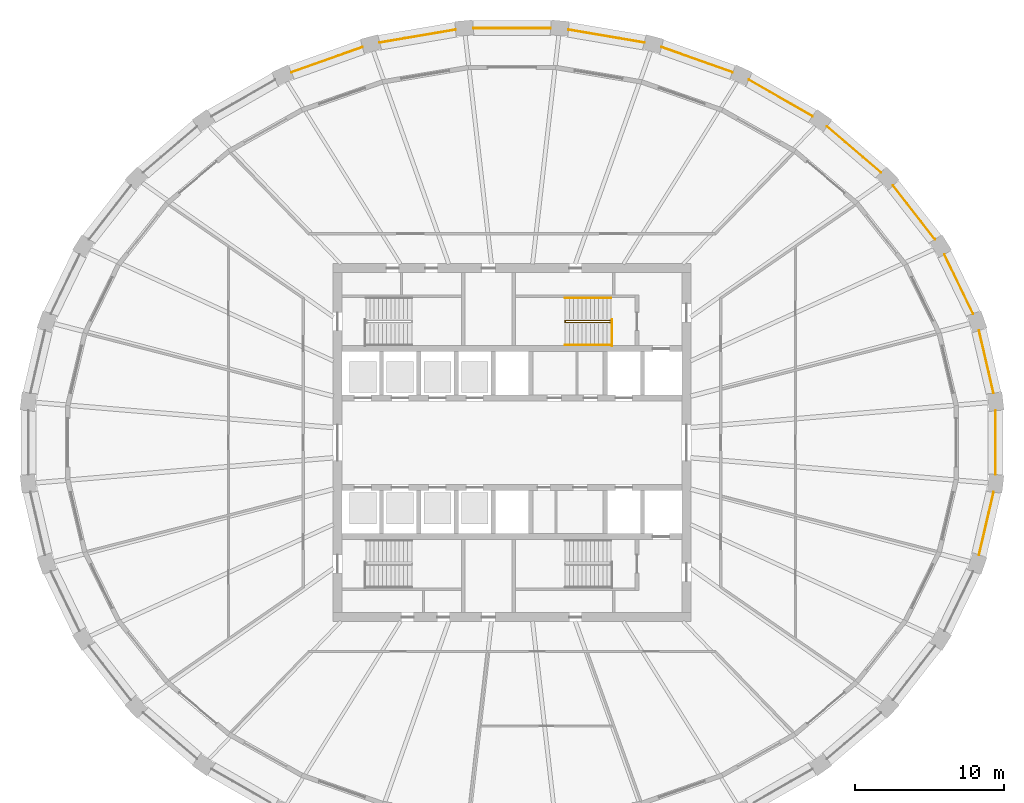
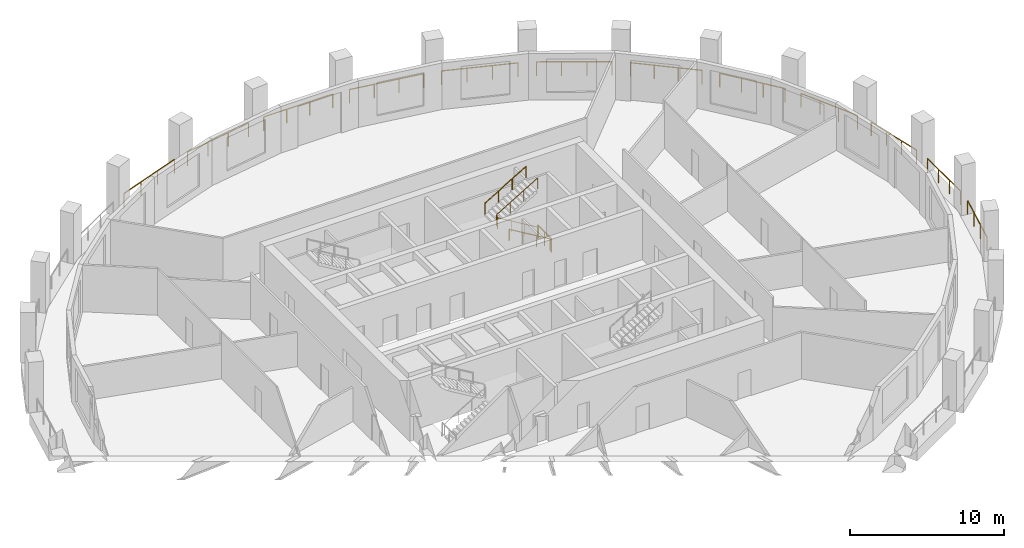
# One storey, part 9 of 10: 16 railings.
"""IFC4 building model written with IfcOpenShell, lengths in metres."""

from ifc_helpers import new_model, si_unit, direction, frame, origin, origin_2d, place, context, subcontext, project, spatial, circle, extrude, material, type_object, element, save


model = new_model("IFC4")

# Units and contexts
model_context = context("Model", 3, precision=1e-05, world=origin(), true_north=direction((0.0, 1.0)))
body_context = subcontext(model_context, "Body", "Model", "MODEL_VIEW")
ifc_project = project(units=[si_unit("LENGTHUNIT", "METRE"), si_unit("AREAUNIT", "SQUARE_METRE"), si_unit("VOLUMEUNIT", "CUBIC_METRE"), si_unit("PLANEANGLEUNIT", "RADIAN"), si_unit("MASSUNIT", "GRAM", prefix="KILO")], contexts=[model_context])

# Site, building, storey
site_placement = place(None, origin())
site = spatial("IfcSite", under=ifc_project, at=site_placement, CompositionType="ELEMENT")
building_placement = place(site_placement, origin())
building = spatial("IfcBuilding", under=site, at=building_placement, Name="Halqa Exchange Tower", CompositionType="ELEMENT")
storey_placement = place(building_placement, frame((0.0, 0.0, 194.89990234375)))
storey = spatial("IfcBuildingStorey", under=building, at=storey_placement, Name="L44", CompositionType="ELEMENT", Elevation=194.89990234375)

# Railings
ifc_material = material(Name="Stainless steel", Category="steel")
railing_type_1 = type_object("IfcRailingType", Name="Guard 1100 stainless steel", PredefinedType="GUARDRAIL", material=ifc_material)
railing_1_placement = place(storey_placement, frame((32.286376953125, 3.321533203125, 0.0)))
element("IfcRailing", 1, at=railing_1_placement, inside=storey, type_object=railing_type_1, Name="Loggia guard 1", PredefinedType="GUARDRAIL", context=body_context, shape_type="SweptSolid", body=[
    extrude(circle(Radius=0.02392578125, at=origin_2d()), frame((0.0, 0.0, 1.076171875), z_axis=(-0.226046234035, 0.974116574173, 0.0), x_axis=(-0.974116574173, -0.226046234035, 0.0)), (0.0, 0.0, 1.0), 4.3115234375),
    extrude(circle(Radius=0.02099609375, at=origin_2d()), origin(), (0.0, 0.0, 1.0), 1.052001953125),
    extrude(circle(Radius=0.02099609375, at=origin_2d()), frame((-0.324951171875, 1.39990234375, 0.0)), (0.0, 0.0, 1.0), 1.052001953125),
    extrude(circle(Radius=0.02099609375, at=origin_2d()), frame((-0.649658203125, 2.800048828125, 0.0)), (0.0, 0.0, 1.0), 1.052001953125),
    extrude(circle(Radius=0.02099609375, at=origin_2d()), frame((-0.974609375, 4.199951171875, 0.0)), (0.0, 0.0, 1.0), 1.052001953125),
])
railing_2_placement = place(storey_placement, frame((30.9150390625, 8.646240234375, 0.0)))
element("IfcRailing", 2, at=railing_2_placement, inside=storey, type_object=railing_type_1, Name="Loggia guard 2", PredefinedType="GUARDRAIL", context=body_context, shape_type="SweptSolid", body=[
    extrude(circle(Radius=0.02392578125, at=origin_2d()), frame((0.0, 0.0, 1.076171875), z_axis=(-0.435079799451, 0.900391896959, 0.0), x_axis=(-0.900391896959, -0.435079799451, 0.0)), (0.0, 0.0, 1.0), 4.417236328125),
    extrude(circle(Radius=0.02099609375, at=origin_2d()), origin(), (0.0, 0.0, 1.0), 1.052001953125),
    extrude(circle(Radius=0.02099609375, at=origin_2d()), frame((-0.640625, 1.32568359375, 0.0)), (0.0, 0.0, 1.0), 1.052001953125),
    extrude(circle(Radius=0.02099609375, at=origin_2d()), frame((-1.28125, 2.651611328125, 0.0)), (0.0, 0.0, 1.0), 1.052001953125),
    extrude(circle(Radius=0.02099609375, at=origin_2d()), frame((-1.921875, 3.977294921875, 0.0)), (0.0, 0.0, 1.0), 1.052001953125),
])
railing_3_placement = place(storey_placement, frame((28.363037109375, 13.636962890625, 0.0)))
element("IfcRailing", 3, at=railing_3_placement, inside=storey, type_object=railing_type_1, Name="Loggia guard 3", PredefinedType="GUARDRAIL", context=body_context, shape_type="SweptSolid", body=[
    extrude(circle(Radius=0.02392578125, at=origin_2d()), frame((0.0, 0.0, 1.076171875), z_axis=(-0.614790692389, 0.788690309661, 0.0), x_axis=(-0.788690309661, -0.614790692389, 0.0)), (0.0, 0.0, 1.0), 4.571044921875),
    extrude(circle(Radius=0.02099609375, at=origin_2d()), origin(), (0.0, 0.0, 1.0), 1.052001953125),
    extrude(circle(Radius=0.02099609375, at=origin_2d()), frame((-0.936767578125, 1.20166015625, 0.0)), (0.0, 0.0, 1.0), 1.052001953125),
    extrude(circle(Radius=0.02099609375, at=origin_2d()), frame((-1.87353515625, 2.403564453125, 0.0)), (0.0, 0.0, 1.0), 1.052001953125),
    extrude(circle(Radius=0.02099609375, at=origin_2d()), frame((-2.810302734375, 3.605224609375, 0.0)), (0.0, 0.0, 1.0), 1.052001953125),
])
railing_4_placement = place(storey_placement, frame((24.728271484375, 18.105712890625, 0.0)))
element("IfcRailing", 4, at=railing_4_placement, inside=storey, type_object=railing_type_1, Name="Loggia guard 4", PredefinedType="GUARDRAIL", context=body_context, shape_type="SweptSolid", body=[
    extrude(circle(Radius=0.02392578125, at=origin_2d()), frame((0.0, 0.0, 1.076171875), z_axis=(-0.759245713633, 0.650804076761, 0.0), x_axis=(-0.650804076761, -0.759245713633, 0.0)), (0.0, 0.0, 1.0), 4.748046875),
    extrude(circle(Radius=0.02099609375, at=origin_2d()), origin(), (0.0, 0.0, 1.0), 1.052001953125),
    extrude(circle(Radius=0.02099609375, at=origin_2d()), frame((-1.20166015625, 1.030029296875, 0.0)), (0.0, 0.0, 1.0), 1.052001953125),
    extrude(circle(Radius=0.02099609375, at=origin_2d()), frame((-2.4033203125, 2.06005859375, 0.0)), (0.0, 0.0, 1.0), 1.052001953125),
    extrude(circle(Radius=0.02099609375, at=origin_2d()), frame((-3.60498046875, 3.090087890625, 0.0)), (0.0, 0.0, 1.0), 1.052001953125),
])
railing_5_placement = place(storey_placement, frame((20.147216796875, 21.884521484375, 0.0)))
element("IfcRailing", 5, at=railing_5_placement, inside=storey, type_object=railing_type_1, Name="Loggia guard 5", PredefinedType="GUARDRAIL", context=body_context, shape_type="SweptSolid", body=[
    extrude(circle(Radius=0.02392578125, at=origin_2d()), frame((0.0, 0.0, 1.076171875), z_axis=(-0.867760186482, 0.496983157417, 0.0), x_axis=(-0.496983157417, -0.867760186482, 0.0)), (0.0, 0.0, 1.0), 4.91943359375),
    extrude(circle(Radius=0.02099609375, at=origin_2d()), origin(), (0.0, 0.0, 1.0), 1.052001953125),
    extrude(circle(Radius=0.02099609375, at=origin_2d()), frame((-1.4228515625, 0.81494140625, 0.0)), (0.0, 0.0, 1.0), 1.052001953125),
    extrude(circle(Radius=0.02099609375, at=origin_2d()), frame((-2.845947265625, 1.6298828125, 0.0)), (0.0, 0.0, 1.0), 1.052001953125),
    extrude(circle(Radius=0.02099609375, at=origin_2d()), frame((-4.268798828125, 2.44482421875, 0.0)), (0.0, 0.0, 1.0), 1.052001953125),
])
railing_6_placement = place(storey_placement, frame((14.792236328125, 24.828125, 0.0)))
element("IfcRailing", 6, at=railing_6_placement, inside=storey, type_object=railing_type_1, Name="Loggia guard 6", PredefinedType="GUARDRAIL", context=body_context, shape_type="SweptSolid", body=[
    extrude(circle(Radius=0.02392578125, at=origin_2d()), frame((0.0, 0.0, 1.076171875), z_axis=(-0.942353673128, 0.334618521217, 0.0), x_axis=(-0.334618521217, -0.942353673128, 0.0)), (0.0, 0.0, 1.0), 5.061279296875),
    extrude(circle(Radius=0.02099609375, at=origin_2d()), origin(), (0.0, 0.0, 1.0), 1.052001953125),
    extrude(circle(Radius=0.02099609375, at=origin_2d()), frame((-1.58984375, 0.564453125, 0.0)), (0.0, 0.0, 1.0), 1.052001953125),
    extrude(circle(Radius=0.02099609375, at=origin_2d()), frame((-3.1796875, 1.129150390625, 0.0)), (0.0, 0.0, 1.0), 1.052001953125),
    extrude(circle(Radius=0.02099609375, at=origin_2d()), frame((-4.76953125, 1.693603515625, 0.0)), (0.0, 0.0, 1.0), 1.052001953125),
])
railing_7_placement = place(storey_placement, frame((8.86572265625, 26.8232421875, 0.0)))
element("IfcRailing", 7, at=railing_7_placement, inside=storey, type_object=railing_type_1, Name="Loggia guard 7", PredefinedType="GUARDRAIL", context=body_context, shape_type="SweptSolid", body=[
    extrude(circle(Radius=0.02392578125, at=origin_2d()), frame((0.0, 0.0, 1.076171875), z_axis=(-0.985776455077, 0.168061835693, 0.0), x_axis=(-0.168061835693, -0.985776455077, 0.0)), (0.0, 0.0, 1.0), 5.154052734375),
    extrude(circle(Radius=0.02099609375, at=origin_2d()), origin(), (0.0, 0.0, 1.0), 1.052001953125),
    extrude(circle(Radius=0.02099609375, at=origin_2d()), frame((-1.693603515625, 0.288818359375, 0.0)), (0.0, 0.0, 1.0), 1.052001953125),
    extrude(circle(Radius=0.02099609375, at=origin_2d()), frame((-3.38720703125, 0.577392578125, 0.0)), (0.0, 0.0, 1.0), 1.052001953125),
    extrude(circle(Radius=0.02099609375, at=origin_2d()), frame((-5.080810546875, 0.8662109375, 0.0)), (0.0, 0.0, 1.0), 1.052001953125),
])
railing_8_placement = place(storey_placement, frame((2.59326171875, 27.790283203125, 0.0)))
element("IfcRailing", 8, at=railing_8_placement, inside=storey, type_object=railing_type_1, Name="Loggia guard 8", PredefinedType="GUARDRAIL", context=body_context, shape_type="SweptSolid", body=[
    extrude(circle(Radius=0.02392578125, at=origin_2d()), frame((0.0, 0.0, 1.076171875), z_axis=(-1.0, 0.0, 0.0), x_axis=(0.0, -1.0, 0.0)), (0.0, 0.0, 1.0), 5.1865234375),
    extrude(circle(Radius=0.02099609375, at=origin_2d()), origin(), (0.0, 0.0, 1.0), 1.052001953125),
    extrude(circle(Radius=0.02099609375, at=origin_2d()), frame((-1.728759765625, 0.0, 0.0)), (0.0, 0.0, 1.0), 1.052001953125),
    extrude(circle(Radius=0.02099609375, at=origin_2d()), frame((-3.457763671875, 0.0, 0.0)), (0.0, 0.0, 1.0), 1.052001953125),
    extrude(circle(Radius=0.02099609375, at=origin_2d()), frame((-5.1865234375, 0.0, 0.0)), (0.0, 0.0, 1.0), 1.052001953125),
])
railing_9_placement = place(storey_placement, frame((-3.784912109375, 27.689453125, 0.0)))
element("IfcRailing", 9, at=railing_9_placement, inside=storey, type_object=railing_type_1, Name="Loggia guard 9", PredefinedType="GUARDRAIL", context=body_context, shape_type="SweptSolid", body=[
    extrude(circle(Radius=0.02392578125, at=origin_2d()), frame((0.0, 0.0, 1.076171875), z_axis=(-0.985776455077, -0.168061835693, 0.0), x_axis=(0.168061835693, -0.985776455077, 0.0)), (0.0, 0.0, 1.0), 5.154052734375),
    extrude(circle(Radius=0.02099609375, at=origin_2d()), origin(), (0.0, 0.0, 1.0), 1.052001953125),
    extrude(circle(Radius=0.02099609375, at=origin_2d()), frame((-1.693603515625, -0.288818359375, 0.0)), (0.0, 0.0, 1.0), 1.052001953125),
    extrude(circle(Radius=0.02099609375, at=origin_2d()), frame((-3.38720703125, -0.577392578125, 0.0)), (0.0, 0.0, 1.0), 1.052001953125),
    extrude(circle(Radius=0.02099609375, at=origin_2d()), frame((-5.080810546875, -0.8662109375, 0.0)), (0.0, 0.0, 1.0), 1.052001953125),
])
railing_10_placement = place(storey_placement, frame((-10.022705078125, 26.521728515625, 0.0)))
element("IfcRailing", 10, at=railing_10_placement, inside=storey, type_object=railing_type_1, Name="Loggia guard 10", PredefinedType="GUARDRAIL", context=body_context, shape_type="SweptSolid", body=[
    extrude(circle(Radius=0.02392578125, at=origin_2d()), frame((0.0, 0.0, 1.076171875), z_axis=(-0.942353673128, -0.334618521217, 0.0), x_axis=(0.334618521217, -0.942353673128, 0.0)), (0.0, 0.0, 1.0), 5.061279296875),
    extrude(circle(Radius=0.02099609375, at=origin_2d()), origin(), (0.0, 0.0, 1.0), 1.052001953125),
    extrude(circle(Radius=0.02099609375, at=origin_2d()), frame((-1.58984375, -0.564453125, 0.0)), (0.0, 0.0, 1.0), 1.052001953125),
    extrude(circle(Radius=0.02099609375, at=origin_2d()), frame((-3.1796875, -1.129150390625, 0.0)), (0.0, 0.0, 1.0), 1.052001953125),
    extrude(circle(Radius=0.02099609375, at=origin_2d()), frame((-4.76953125, -1.693603515625, 0.0)), (0.0, 0.0, 1.0), 1.052001953125),
])
railing_11_placement = place(storey_placement, frame((31.311767578125, -7.521484375, 0.0)))
element("IfcRailing", 11, at=railing_11_placement, inside=storey, type_object=railing_type_1, Name="Loggia guard 31", PredefinedType="GUARDRAIL", context=body_context, shape_type="SweptSolid", body=[
    extrude(circle(Radius=0.02392578125, at=origin_2d()), frame((0.0, 0.0, 1.076171875), z_axis=(0.226046234035, 0.974116574173, 0.0), x_axis=(-0.974116574173, 0.226046234035, 0.0)), (0.0, 0.0, 1.0), 4.3115234375),
    extrude(circle(Radius=0.02099609375, at=origin_2d()), origin(), (0.0, 0.0, 1.0), 1.052001953125),
    extrude(circle(Radius=0.02099609375, at=origin_2d()), frame((0.324951171875, 1.39990234375, 0.0)), (0.0, 0.0, 1.0), 1.052001953125),
    extrude(circle(Radius=0.02099609375, at=origin_2d()), frame((0.649658203125, 2.800048828125, 0.0)), (0.0, 0.0, 1.0), 1.052001953125),
    extrude(circle(Radius=0.02099609375, at=origin_2d()), frame((0.974609375, 4.199951171875, 0.0)), (0.0, 0.0, 1.0), 1.052001953125),
])
railing_12_placement = place(storey_placement, frame((32.422119140625, -2.13720703125, 0.0)))
element("IfcRailing", 12, at=railing_12_placement, inside=storey, type_object=railing_type_1, Name="Loggia guard 32", PredefinedType="GUARDRAIL", context=body_context, shape_type="SweptSolid", body=[
    extrude(circle(Radius=0.02392578125, at=origin_2d()), frame((0.0, 0.0, 1.076171875), z_axis=(0.0, 1.0, 0.0), x_axis=(-1.0, 0.0, 0.0)), (0.0, 0.0, 1.0), 4.2744140625),
    extrude(circle(Radius=0.02099609375, at=origin_2d()), origin(), (0.0, 0.0, 1.0), 1.052001953125),
    extrude(circle(Radius=0.02099609375, at=origin_2d()), frame((0.0, 1.4248046875, 0.0)), (0.0, 0.0, 1.0), 1.052001953125),
    extrude(circle(Radius=0.02099609375, at=origin_2d()), frame((0.0, 2.849609375, 0.0)), (0.0, 0.0, 1.0), 1.052001953125),
    extrude(circle(Radius=0.02099609375, at=origin_2d()), frame((0.0, 4.2744140625, 0.0)), (0.0, 0.0, 1.0), 1.052001953125),
])
railing_type_2 = type_object("IfcRailingType", Name="Stair handrail 900", PredefinedType="HANDRAIL", material=ifc_material)
railing_13_placement = place(storey_placement, frame((6.64990234375, 8.06005859375, 0.166748046875)))
element("IfcRailing", 13, at=railing_13_placement, inside=storey, type_object=railing_type_2, Name="Handrail ST2.1", PredefinedType="HANDRAIL", context=body_context, shape_type="SweptSolid", body=[
    extrude(circle(Radius=0.02392578125, at=origin_2d()), frame((0.0, 0.0, 0.8759765625), z_axis=(-0.859290745958, 0.0, 0.51148745235), x_axis=(0.0, -1.0, 0.0)), (0.0, 0.0, 1.0), 3.584228515625),
    extrude(circle(Radius=0.02392578125, at=origin_2d()), frame((-3.079833984375, 0.0, 2.708984375), z_axis=(0.0, 0.614500226555, 0.788916644243), x_axis=(-1.0, 0.0, 0.0)), (0.0, 0.0, 1.0), 0.21142578125),
    extrude(circle(Radius=0.02392578125, at=origin_2d()), frame((-3.079833984375, 0.1298828125, 2.8759765625), z_axis=(0.859290745958, 0.0, 0.51148745235), x_axis=(0.0, 1.0, 0.0)), (0.0, 0.0, 1.0), 3.584228515625),
    extrude(circle(Radius=0.02099609375, at=origin_2d()), origin(), (0.0, 0.0, 1.0), 0.851806640625),
    extrude(circle(Radius=0.02099609375, at=origin_2d()), frame((-1.026611328125, 0.0, 0.611083984375)), (0.0, 0.0, 1.0), 0.851806640625),
    extrude(circle(Radius=0.02099609375, at=origin_2d()), frame((-2.05322265625, 0.0, 1.22216796875)), (0.0, 0.0, 1.0), 0.851806640625),
    extrude(circle(Radius=0.02099609375, at=origin_2d()), frame((-3.079833984375, 0.0, 1.833251953125)), (0.0, 0.0, 1.0), 0.851806640625),
    extrude(circle(Radius=0.02099609375, at=origin_2d()), frame((-3.079833984375, 0.1298828125, 2.0)), (0.0, 0.0, 1.0), 0.851806640625),
    extrude(circle(Radius=0.02099609375, at=origin_2d()), frame((-2.05322265625, 0.1298828125, 2.611083984375)), (0.0, 0.0, 1.0), 0.851806640625),
    extrude(circle(Radius=0.02099609375, at=origin_2d()), frame((-1.026611328125, 0.1298828125, 3.22216796875)), (0.0, 0.0, 1.0), 0.851806640625),
    extrude(circle(Radius=0.02099609375, at=origin_2d()), frame((0.0, 0.1298828125, 3.833251953125)), (0.0, 0.0, 1.0), 0.851806640625),
])
railing_14_placement = place(storey_placement, frame((6.64990234375, 6.550048828125, 0.166748046875)))
element("IfcRailing", 14, at=railing_14_placement, inside=storey, type_object=railing_type_2, Name="Handrail ST2.2", PredefinedType="HANDRAIL", context=body_context, shape_type="SweptSolid", body=[
    extrude(circle(Radius=0.02392578125, at=origin_2d()), frame((0.0, 0.0, 0.8759765625), z_axis=(-0.859290745958, 0.0, 0.51148745235), x_axis=(0.0, -1.0, 0.0)), (0.0, 0.0, 1.0), 3.584228515625),
    extrude(circle(Radius=0.02099609375, at=origin_2d()), origin(), (0.0, 0.0, 1.0), 0.851806640625),
    extrude(circle(Radius=0.02099609375, at=origin_2d()), frame((-1.026611328125, 0.0, 0.611083984375)), (0.0, 0.0, 1.0), 0.851806640625),
    extrude(circle(Radius=0.02099609375, at=origin_2d()), frame((-2.05322265625, 0.0, 1.22216796875)), (0.0, 0.0, 1.0), 0.851806640625),
    extrude(circle(Radius=0.02099609375, at=origin_2d()), frame((-3.079833984375, 0.0, 1.833251953125)), (0.0, 0.0, 1.0), 0.851806640625),
])
railing_15_placement = place(storey_placement, frame((3.570068359375, 9.699951171875, 2.166748046875)))
element("IfcRailing", 15, at=railing_15_placement, inside=storey, type_object=railing_type_2, Name="Handrail ST2.3", PredefinedType="HANDRAIL", context=body_context, shape_type="SweptSolid", body=[
    extrude(circle(Radius=0.02392578125, at=origin_2d()), frame((0.0, 0.0, 0.8759765625), z_axis=(0.859290745958, 0.0, 0.51148745235), x_axis=(0.0, 1.0, 0.0)), (0.0, 0.0, 1.0), 3.584228515625),
    extrude(circle(Radius=0.02099609375, at=origin_2d()), origin(), (0.0, 0.0, 1.0), 0.851806640625),
    extrude(circle(Radius=0.02099609375, at=origin_2d()), frame((1.026611328125, 0.0, 0.611083984375)), (0.0, 0.0, 1.0), 0.851806640625),
    extrude(circle(Radius=0.02099609375, at=origin_2d()), frame((2.05322265625, 0.0, 1.22216796875)), (0.0, 0.0, 1.0), 0.851806640625),
    extrude(circle(Radius=0.02099609375, at=origin_2d()), frame((3.079833984375, 0.0, 1.833251953125)), (0.0, 0.0, 1.0), 0.851806640625),
])
railing_type_3 = type_object("IfcRailingType", Name="Stair well guard 1100", PredefinedType="GUARDRAIL", material=ifc_material)
railing_16_placement = place(storey_placement, frame((6.699951171875, 6.5, 0.0)))
element("IfcRailing", 16, at=railing_16_placement, inside=storey, type_object=railing_type_3, Name="Guard ST2 well", PredefinedType="GUARDRAIL", context=body_context, shape_type="SweptSolid", body=[
    extrude(circle(Radius=0.02392578125, at=origin_2d()), frame((0.0, 0.0, 1.076171875), z_axis=(0.0, 1.0, 0.0), x_axis=(-1.0, 0.0, 0.0)), (0.0, 0.0, 1.0), 1.75),
    extrude(circle(Radius=0.02099609375, at=origin_2d()), origin(), (0.0, 0.0, 1.0), 1.052001953125),
    extrude(circle(Radius=0.02099609375, at=origin_2d()), frame((0.0, 0.875, 0.0)), (0.0, 0.0, 1.0), 1.052001953125),
    extrude(circle(Radius=0.02099609375, at=origin_2d()), frame((0.0, 1.75, 0.0)), (0.0, 0.0, 1.0), 1.052001953125),
])

save(model, "model.ifc")
